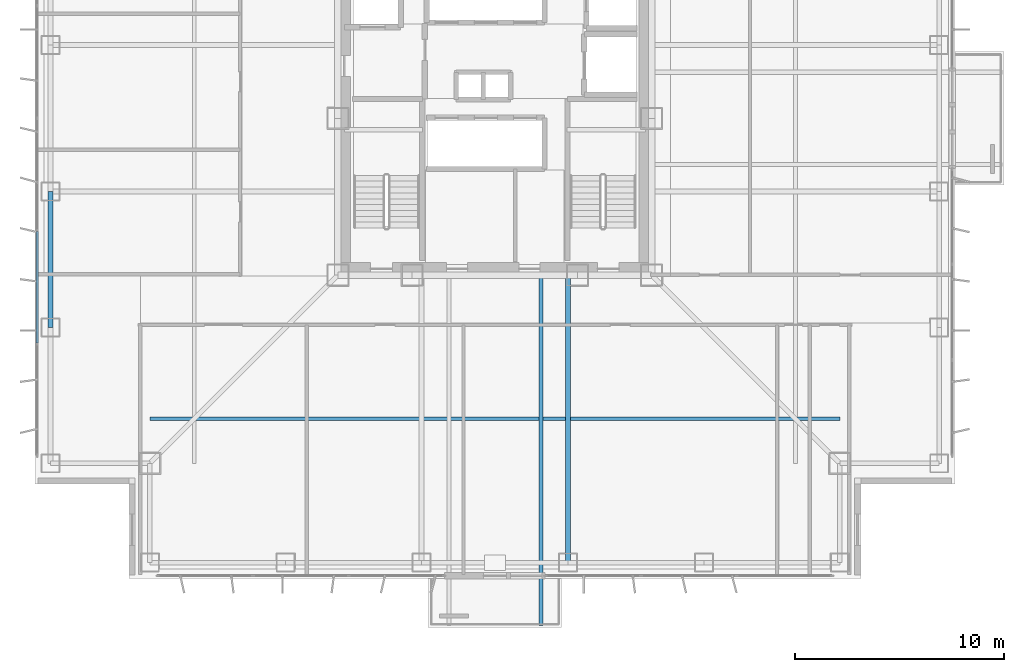
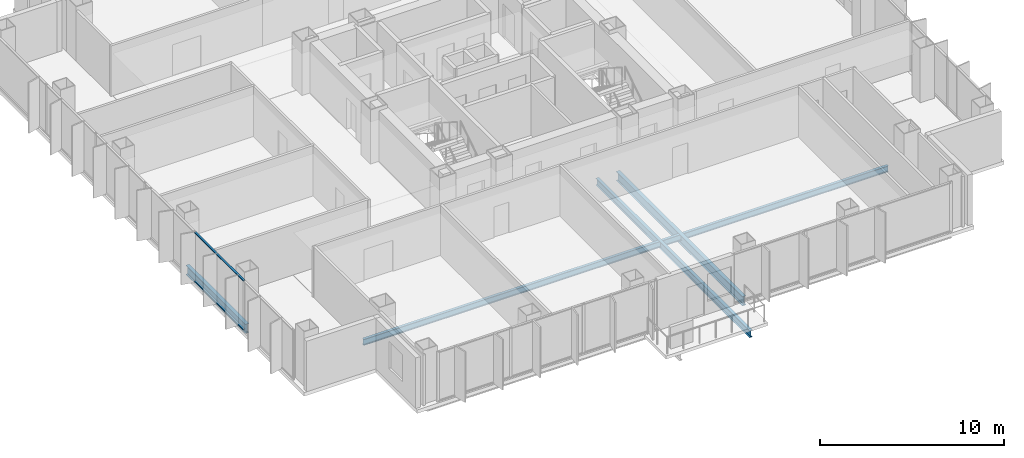
# One storey, part 4 of 18: 4 beams, 2 members, 1 element without a shape of its own.
"""IFC4 building model written with IfcOpenShell, lengths in metres."""

from ifc_helpers import new_model, si_unit, direction, frame, origin, origin_2d, place, context, subcontext, project, spatial, rectangle, i_section, extrude, material, layer, layer_set, material_profile, profile_set, type_object, element, aggregate, save


model = new_model("IFC4")

# Units and contexts
model_context = context("Model", 3, precision=1e-05, world=origin(), true_north=direction((0.0, 1.0)))
body_context = subcontext(model_context, "Body", "Model", "MODEL_VIEW")
ifc_project = project(units=[si_unit("LENGTHUNIT", "METRE"), si_unit("AREAUNIT", "SQUARE_METRE"), si_unit("VOLUMEUNIT", "CUBIC_METRE"), si_unit("PLANEANGLEUNIT", "RADIAN"), si_unit("MASSUNIT", "GRAM", prefix="KILO")], contexts=[model_context])

# Site, building, storey
site_placement = place(None, origin())
site = spatial("IfcSite", under=ifc_project, at=site_placement, CompositionType="ELEMENT")
building_placement = place(site_placement, origin())
building = spatial("IfcBuilding", under=site, at=building_placement, Name="Trevonay Congress Spire", CompositionType="ELEMENT")
storey_placement = place(building_placement, frame((0.0, 0.0, 104.800048828125)))
storey = spatial("IfcBuildingStorey", under=building, at=storey_placement, Name="L26", CompositionType="ELEMENT", Elevation=104.800048828125)

# Beams
ifc_material_1 = material(Name="Steel ASTM A572 Grade 50", Category="steel")
ifc_material_profile_1 = material_profile(ifc_material_1, i_section(OverallWidth=0.194091796875, OverallDepth=0.468994140625, WebThickness=0.011474609375, FlangeThickness=0.01953125, FilletRadius=0.013916015625, at=origin_2d()), Name="W460x106")
ifc_profile_set_1 = profile_set([ifc_material_profile_1], Name="Steel ASTM A572 Grade 50")
beam_type_1 = type_object("IfcBeamType", Name="BM-BAL-LOOKOUT", PredefinedType="BEAM", material=ifc_profile_set_1)
beam_1_placement = place(storey_placement, frame((2.199951171875, -7.5, -0.474609375), z_axis=(0.0, -1.0, 0.0), x_axis=(1.0, 0.0, 0.0)))
element("IfcBeam", 1, at=beam_1_placement, inside=storey, type_object=beam_type_1, Name="L26 structural beam LKT-L26-S2", PredefinedType="BEAM", context=body_context, shape_type="SweptSolid", body=[
    extrude(i_section(OverallWidth=0.194091796875, OverallDepth=0.468994140625, WebThickness=0.011474609375, FlangeThickness=0.01953125, FilletRadius=0.013916015625, at=origin_2d()), origin(), (0.0, 0.0, 1.0), 16.75),
])
ifc_material_profile_2 = material_profile(ifc_material_1, i_section(OverallWidth=0.22998046875, OverallDepth=0.616943359375, WebThickness=0.01318359375, FlangeThickness=0.022216796875, FilletRadius=0.01611328125, at=origin_2d()), Name="W610x140")
ifc_profile_set_2 = profile_set([ifc_material_profile_2], Name="Steel ASTM A572 Grade 50")
beam_type_2 = type_object("IfcBeamType", Name="BM-GIRD-W610X140", PredefinedType="BEAM", material=ifc_profile_set_2)
beam_2_placement = place(storey_placement, frame((3.5, -7.5, -0.548583984375), z_axis=(0.0, -1.0, 0.0), x_axis=(1.0, 0.0, 0.0)))
element("IfcBeam", 2, at=beam_2_placement, inside=storey, type_object=beam_type_2, Name="L26 structural beam BM-L26-GS-P", PredefinedType="BEAM", context=body_context, shape_type="SweptSolid", body=[
    extrude(i_section(OverallWidth=0.22998046875, OverallDepth=0.616943359375, WebThickness=0.01318359375, FlangeThickness=0.022216796875, FilletRadius=0.01611328125, at=origin_2d()), origin(), (0.0, 0.0, 1.0), 13.75),
])
ifc_material_profile_3 = material_profile(ifc_material_1, i_section(OverallWidth=0.22802734375, OverallDepth=0.60791015625, WebThickness=0.01123046875, FlangeThickness=0.017333984375, FilletRadius=0.01611328125, at=origin_2d()), Name="W610x113")
ifc_profile_set_3 = profile_set([ifc_material_profile_3], Name="Steel ASTM A572 Grade 50")
beam_type_3 = type_object("IfcBeamType", Name="BM-RING-W610X113", PredefinedType="BEAM", material=ifc_profile_set_3)
beam_3_placement = place(storey_placement, frame((-21.25, -10.0, -0.5439453125), z_axis=(0.0, 1.0, 0.0), x_axis=(-1.0, 0.0, 0.0)))
element("IfcBeam", 3, at=beam_3_placement, inside=storey, type_object=beam_type_3, Name="L26 structural beam BM-L26-PW2", PredefinedType="BEAM", context=body_context, shape_type="SweptSolid", body=[
    extrude(i_section(OverallWidth=0.22802734375, OverallDepth=0.60791015625, WebThickness=0.01123046875, FlangeThickness=0.017333984375, FilletRadius=0.01611328125, at=origin_2d()), origin(), (0.0, 0.0, 1.0), 6.5),
])

# Curtain wall, members
ifc_material_2 = material(Name="Pale Anodised Aluminium EN AW-6063-T6", Category="aluminium")
ifc_layer = layer(ifc_material_2, 0.175048828125, Name="Pale Anodised Aluminium EN AW-6063-T6")
ifc_layer_set = layer_set([ifc_layer], Name="Pale Anodised Aluminium EN AW-6063-T6")
curtain_wall_type = type_object("IfcCurtainWallType", Name="CW-SYS03-CONGRESS-PALE-METAL", PredefinedType="NOTDEFINED", material=ifc_layer_set)
curtain_wall_placement = place(storey_placement, origin())
curtain_wall = element("IfcCurtainWall", 4, at=curtain_wall_placement, inside=storey, type_object=curtain_wall_type, Name="L26 W unitised curtain wall", PredefinedType="NOTDEFINED")
ifc_material_profile_4 = material_profile(ifc_material_2, rectangle(XDim=0.1201171875, YDim=0.06005859375, at=origin_2d()), Name="CW-TRANSOM-120-ALUMINIUM")
ifc_profile_set_4 = profile_set([ifc_material_profile_4], Name="Pale Anodised Aluminium EN AW-6063-T6")
member_type = type_object("IfcMemberType", Name="CW-TRANSOM-120-ALUMINIUM", PredefinedType="USERDEFINED", material=ifc_profile_set_4)
member_1_placement = place(storey_placement, frame((-21.8798828125, -10.736572265625, 0.06005859375), z_axis=(0.0, 1.0, 0.0), x_axis=(-1.0, 0.0, 0.0)))
member_1 = element("IfcMember", 5, at=member_1_placement, type_object=member_type, Name="CW03 transom 2.1", ObjectType="TRANSOM", PredefinedType="USERDEFINED", context=body_context, shape_type="SweptSolid", body=[
    extrude(rectangle(XDim=0.1201171875, YDim=0.06005859375, at=origin_2d()), origin(), (0.0, 0.0, 1.0), 5.3232421875),
])
member_2_placement = place(storey_placement, frame((-21.8798828125, -10.736572265625, 3.300048828125), z_axis=(0.0, 1.0, 0.0), x_axis=(-1.0, 0.0, 0.0)))
member_2 = element("IfcMember", 6, at=member_2_placement, type_object=member_type, Name="CW03 transom 2.2", ObjectType="TRANSOM", PredefinedType="USERDEFINED", context=body_context, shape_type="SweptSolid", body=[
    extrude(rectangle(XDim=0.1201171875, YDim=0.06005859375, at=origin_2d()), origin(), (0.0, 0.0, 1.0), 5.3232421875),
])
aggregate(curtain_wall, [member_1, member_2])

# Beam
ifc_material_profile_5 = material_profile(ifc_material_1, i_section(OverallWidth=0.177978515625, OverallDepth=0.406982421875, WebThickness=0.0078125, FlangeThickness=0.0126953125, FilletRadius=0.012939453125, at=origin_2d()), Name="W410x60")
ifc_profile_set_5 = profile_set([ifc_material_profile_5], Name="Steel ASTM A572 Grade 50")
beam_type_4 = type_object("IfcBeamType", Name="JS-COMP-W410X60", PredefinedType="JOIST", material=ifc_profile_set_5)
beam_4_placement = place(storey_placement, frame((-16.5, -14.375, -0.443603515625), z_axis=(1.0, 0.0, 0.0), x_axis=(0.0, 1.0, 0.0)))
element("IfcBeam", 7, at=beam_4_placement, inside=storey, type_object=beam_type_4, Name="L26 structural beam JS-L26-RING-S", PredefinedType="JOIST", context=body_context, shape_type="SweptSolid", body=[
    extrude(i_section(OverallWidth=0.177978515625, OverallDepth=0.406982421875, WebThickness=0.0078125, FlangeThickness=0.0126953125, FilletRadius=0.012939453125, at=origin_2d()), origin(), (0.0, 0.0, 1.0), 33.0),
])

save(model, "model.ifc")
